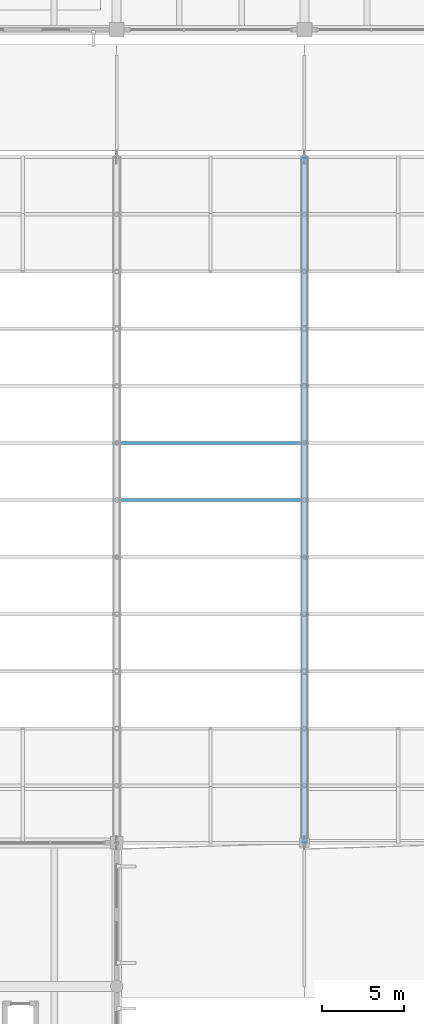
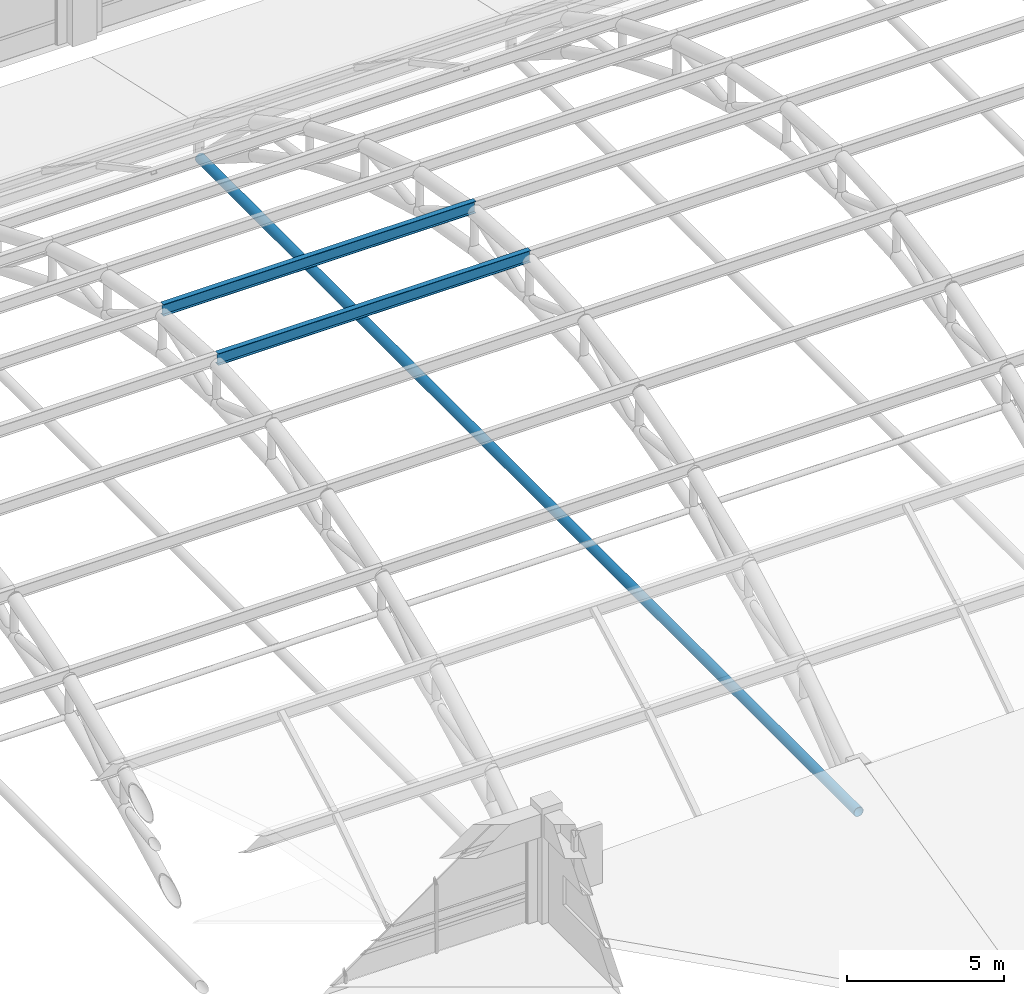
# One storey, part 99 of 154: 3 members.
"""IFC4 building model written with IfcOpenShell, lengths in metres."""

from ifc_helpers import new_model, si_unit, direction, frame, origin, origin_2d, place, context, subcontext, project, spatial, hollow_circle, i_section, extrude, material, material_profile, profile_set, type_object, element, save


model = new_model("IFC4")

# Units and contexts
model_context = context("Model", 3, precision=1e-05, world=origin(), true_north=direction((0.0, 1.0)))
body_context = subcontext(model_context, "Body", "Model", "MODEL_VIEW")
ifc_project = project(units=[si_unit("LENGTHUNIT", "METRE"), si_unit("AREAUNIT", "SQUARE_METRE"), si_unit("VOLUMEUNIT", "CUBIC_METRE"), si_unit("PLANEANGLEUNIT", "RADIAN"), si_unit("MASSUNIT", "GRAM", prefix="KILO")], contexts=[model_context])

# Site, building, storey
site_placement = place(None, origin())
site = spatial("IfcSite", under=ifc_project, at=site_placement, CompositionType="ELEMENT")
building_placement = place(site_placement, origin())
building = spatial("IfcBuilding", under=site, at=building_placement, Name="Ologun Quay Terminus", CompositionType="ELEMENT")
storey_placement = place(building_placement, frame((0.0, 0.0, 13.800048828125)))
storey = spatial("IfcBuildingStorey", under=building, at=storey_placement, Name="L03", CompositionType="ELEMENT", Elevation=13.800048828125)

# Members
ifc_material_1 = material(Name="Steel S355", Category="steel")
ifc_material_profile_1 = material_profile(ifc_material_1, hollow_circle(Radius=0.177734375, WallThickness=0.012451171875, at=origin_2d()), Name="CHS 355.6x12.5")
ifc_profile_set_1 = profile_set([ifc_material_profile_1], Name="Steel S355")
member_type_1 = type_object("IfcMemberType", Name="Arch Horizontal Tie Chord CHS355", PredefinedType="CHORD", material=ifc_profile_set_1)
member_placement = place(storey_placement, frame((138.0, 36.0, 0.0), z_axis=(0.0, 1.0, 0.0), x_axis=(-1.0, 0.0, 0.0)))
element("IfcMember", 1, at=member_placement, inside=storey, type_object=member_type_1, Name="AT1 Arch Tie Chord Grid 13", PredefinedType="CHORD", context=body_context, shape_type="SweptSolid", body=[
    extrude(hollow_circle(Radius=0.177734375, WallThickness=0.012451171875, at=origin_2d()), origin(), (0.0, 0.0, 1.0), 42.0),
])
ifc_material_2 = material(Name="Steel S355", Category="steel")
ifc_material_profile_2 = material_profile(ifc_material_2, i_section(OverallWidth=0.1904296875, OverallDepth=0.45703125, WebThickness=0.009033203125, FlangeThickness=0.014404296875, at=origin_2d()), Name="UKB 457x191x74")
ifc_profile_set_2 = profile_set([ifc_material_profile_2], Name="Steel S355")
member_type_2 = type_object("IfcMemberType", Name="Train Shed Primary Roof Purlin UKB457", PredefinedType="PURLIN", material=ifc_profile_set_2)
for number, where, z_axis, x_axis, name in (
    (2, (126.5, 57.0, 8.948486328125), (1.0, 0.0, 0.0), (0.0, 1.0, 0.0), "PR1 Roof Purlin B12-N6"),
    (3, (126.5, 60.5, 8.739501953125), (1.0, 0.0, 0.0), (0.0, 1.0, 0.0), "PR1 Roof Purlin B12-N7"),
):
    element("IfcMember", number, at=place(storey_placement, frame(where, z_axis=z_axis, x_axis=x_axis)), inside=storey, type_object=member_type_2, Name=name, PredefinedType="PURLIN", context=body_context, shape_type="SweptSolid", body=[
        extrude(i_section(OverallWidth=0.1904296875, OverallDepth=0.45703125, WebThickness=0.009033203125, FlangeThickness=0.014404296875, at=origin_2d()), origin(), (0.0, 0.0, 1.0), 11.5),
    ])

save(model, "model.ifc")
